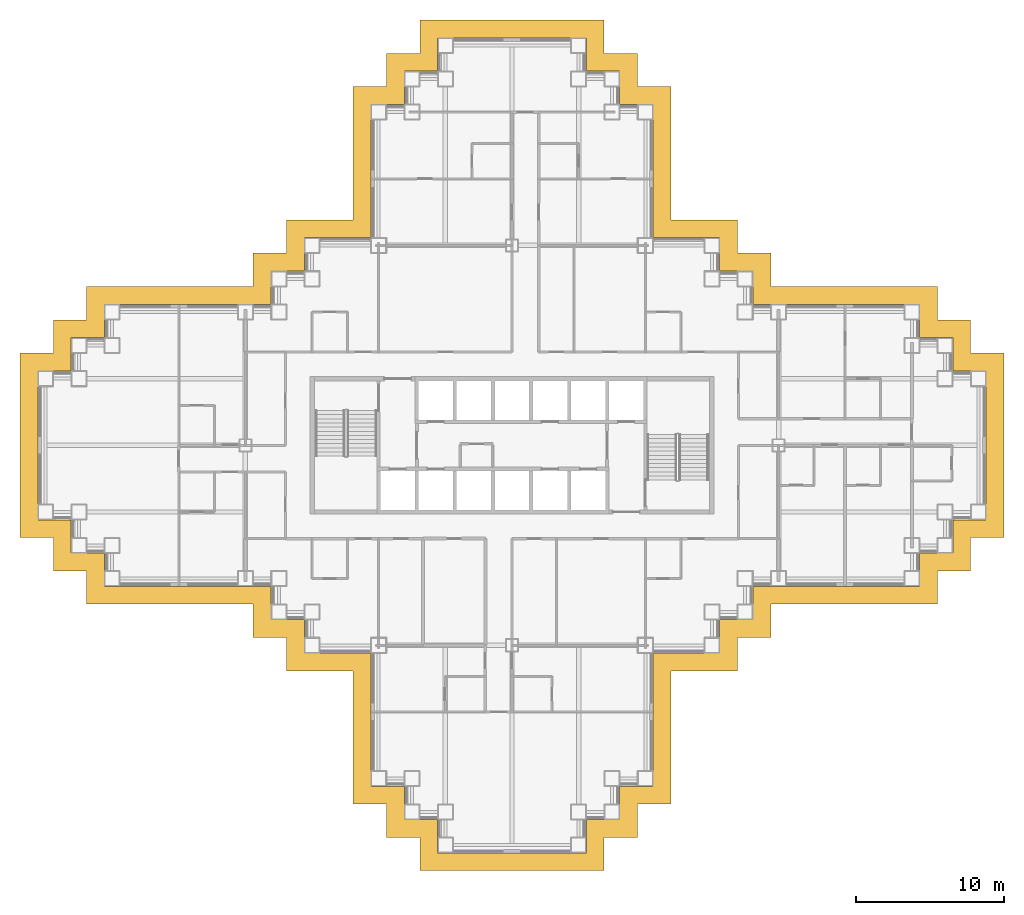
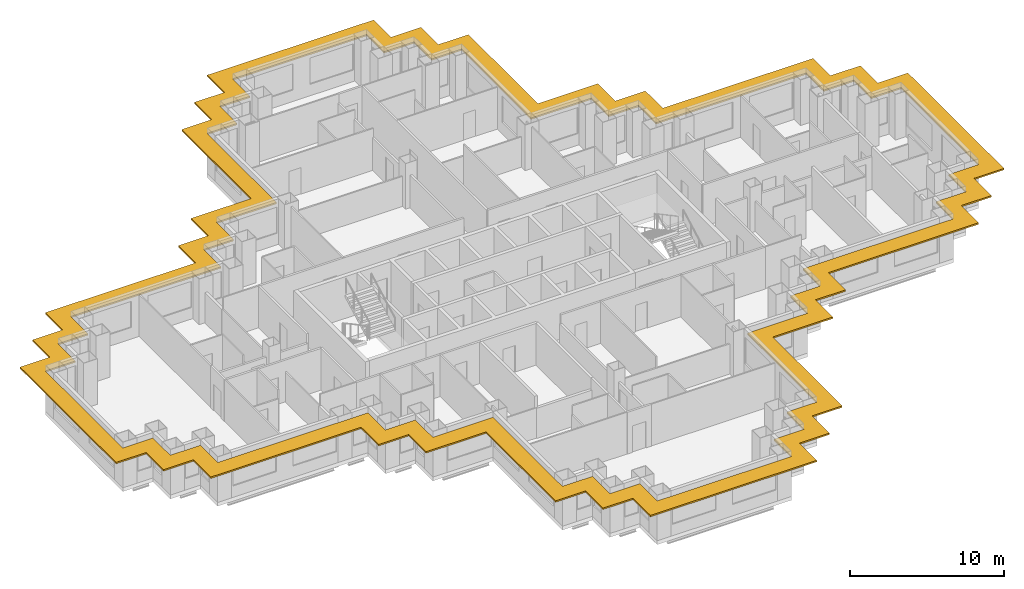
# One storey, part 13 of 14: 1 shading device.
"""IFC4 building model written with IfcOpenShell, lengths in metres."""

from ifc_helpers import new_model, si_unit, direction, frame, origin, place, context, subcontext, project, spatial, polyline, outline, extrude, material, layer, layer_set, type_object, element, save


model = new_model("IFC4")

# Units and contexts
model_context = context("Model", 3, precision=1e-05, world=origin(), true_north=direction((0.0, 1.0)))
body_context = subcontext(model_context, "Body", "Model", "MODEL_VIEW")
ifc_project = project(units=[si_unit("LENGTHUNIT", "METRE"), si_unit("AREAUNIT", "SQUARE_METRE"), si_unit("VOLUMEUNIT", "CUBIC_METRE"), si_unit("PLANEANGLEUNIT", "RADIAN"), si_unit("MASSUNIT", "GRAM", prefix="KILO")], contexts=[model_context])

# Site, building, storey
site_placement = place(None, origin())
site = spatial("IfcSite", under=ifc_project, at=site_placement, CompositionType="ELEMENT")
building_placement = place(site_placement, origin())
building = spatial("IfcBuilding", under=site, at=building_placement, Name="Caravel Reach Hotel and Residences", CompositionType="ELEMENT")
storey_placement = place(building_placement, frame((0.0, 0.0, 37.199951171875)))
storey = spatial("IfcBuildingStorey", under=building, at=storey_placement, Name="L07", CompositionType="ELEMENT", Elevation=37.199951171875)

# Shading device
ifc_material = material(Name="Black powder-coated aluminium", Category="aluminium")
ifc_layer = layer(ifc_material, 0.1201171875)
ifc_layer_set = layer_set([ifc_layer], Name="SS1 Sunshade band 1200")
shading_device_type = type_object("IfcShadingDeviceType", Name="SS1 Sunshade band 1200", PredefinedType="USERDEFINED", material=ifc_layer_set)
shading_device_placement = place(storey_placement, frame((0.0, 0.0, 3.0400390625)))
element("IfcShadingDevice", 1, at=shading_device_placement, inside=storey, type_object=shading_device_type, Name="Sunshade L07 1", ObjectType="SUNSHADE", PredefinedType="USERDEFINED", context=body_context, shape_type="SweptSolid", body=[
    extrude(outline(polyline([(20.77490234375, 11.77490234375), (20.77490234375, 2.77490234375), (23.02490234375, 2.77490234375), (23.02490234375, 0.52490234375), (25.27490234375, 0.52490234375), (25.27490234375, -1.72509765625), (37.72509765625, -1.72509765625), (37.72509765625, 0.52490234375), (39.97509765625, 0.52490234375), (39.97509765625, 2.77490234375), (42.22509765625, 2.77490234375), (42.22509765625, 11.77490234375), (46.72509765625, 11.77490234375), (46.72509765625, 14.02490234375), (48.97509765625, 14.02490234375), (48.97509765625, 16.27490234375), (60.22509765625, 16.27490234375), (60.22509765625, 18.52490234375), (62.47509765625, 18.52490234375), (62.47509765625, 20.77490234375), (64.72509765625, 20.77490234375), (64.72509765625, 33.22509765625), (62.47509765625, 33.22509765625), (62.47509765625, 35.47509765625), (60.22509765625, 35.47509765625), (60.22509765625, 37.72509765625), (48.97509765625, 37.72509765625), (48.97509765625, 39.97509765625), (46.72509765625, 39.97509765625), (46.72509765625, 42.22509765625), (42.22509765625, 42.22509765625), (42.22509765625, 51.22509765625), (39.97509765625, 51.22509765625), (39.97509765625, 53.47509765625), (37.72509765625, 53.47509765625), (37.72509765625, 55.72509765625), (25.27490234375, 55.72509765625), (25.27490234375, 53.47509765625), (23.02490234375, 53.47509765625), (23.02490234375, 51.22509765625), (20.77490234375, 51.22509765625), (20.77490234375, 42.22509765625), (16.27490234375, 42.22509765625), (16.27490234375, 39.97509765625), (14.02490234375, 39.97509765625), (14.02490234375, 37.72509765625), (2.77490234375, 37.72509765625), (2.77490234375, 35.47509765625), (0.52490234375, 35.47509765625), (0.52490234375, 33.22509765625), (-1.72509765625, 33.22509765625), (-1.72509765625, 20.77490234375), (0.52490234375, 20.77490234375), (0.52490234375, 18.52490234375), (2.77490234375, 18.52490234375), (2.77490234375, 16.27490234375), (14.02490234375, 16.27490234375), (14.02490234375, 14.02490234375), (16.27490234375, 14.02490234375), (16.27490234375, 11.77490234375), (20.77490234375, 11.77490234375)]), holes=[polyline([(24.22509765625, 3.97509765625), (21.97509765625, 3.97509765625), (21.97509765625, 12.97509765625), (17.47509765625, 12.97509765625), (17.47509765625, 15.22509765625), (15.22509765625, 15.22509765625), (15.22509765625, 17.47509765625), (3.97509765625, 17.47509765625), (3.97509765625, 19.72509765625), (1.72509765625, 19.72509765625), (1.72509765625, 21.97509765625), (-0.52490234375, 21.97509765625), (-0.52490234375, 32.02490234375), (1.72509765625, 32.02490234375), (1.72509765625, 34.27490234375), (3.97509765625, 34.27490234375), (3.97509765625, 36.52490234375), (15.22509765625, 36.52490234375), (15.22509765625, 38.77490234375), (17.47509765625, 38.77490234375), (17.47509765625, 41.02490234375), (21.97509765625, 41.02490234375), (21.97509765625, 50.02490234375), (24.22509765625, 50.02490234375), (24.22509765625, 52.27490234375), (26.47509765625, 52.27490234375), (26.47509765625, 54.52490234375), (36.52490234375, 54.52490234375), (36.52490234375, 52.27490234375), (38.77490234375, 52.27490234375), (38.77490234375, 50.02490234375), (41.02490234375, 50.02490234375), (41.02490234375, 41.02490234375), (45.52490234375, 41.02490234375), (45.52490234375, 38.77490234375), (47.77490234375, 38.77490234375), (47.77490234375, 36.52490234375), (59.02490234375, 36.52490234375), (59.02490234375, 34.27490234375), (61.27490234375, 34.27490234375), (61.27490234375, 32.02490234375), (63.52490234375, 32.02490234375), (63.52490234375, 21.97509765625), (61.27490234375, 21.97509765625), (61.27490234375, 19.72509765625), (59.02490234375, 19.72509765625), (59.02490234375, 17.47509765625), (47.77490234375, 17.47509765625), (47.77490234375, 15.22509765625), (45.52490234375, 15.22509765625), (45.52490234375, 12.97509765625), (41.02490234375, 12.97509765625), (41.02490234375, 3.97509765625), (38.77490234375, 3.97509765625), (38.77490234375, 1.72509765625), (36.52490234375, 1.72509765625), (36.52490234375, -0.52490234375), (26.47509765625, -0.52490234375), (26.47509765625, 1.72509765625), (24.22509765625, 1.72509765625), (24.22509765625, 3.97509765625)])]), origin(), (0.0, 0.0, 1.0), 0.1201171875),
])

save(model, "model.ifc")
